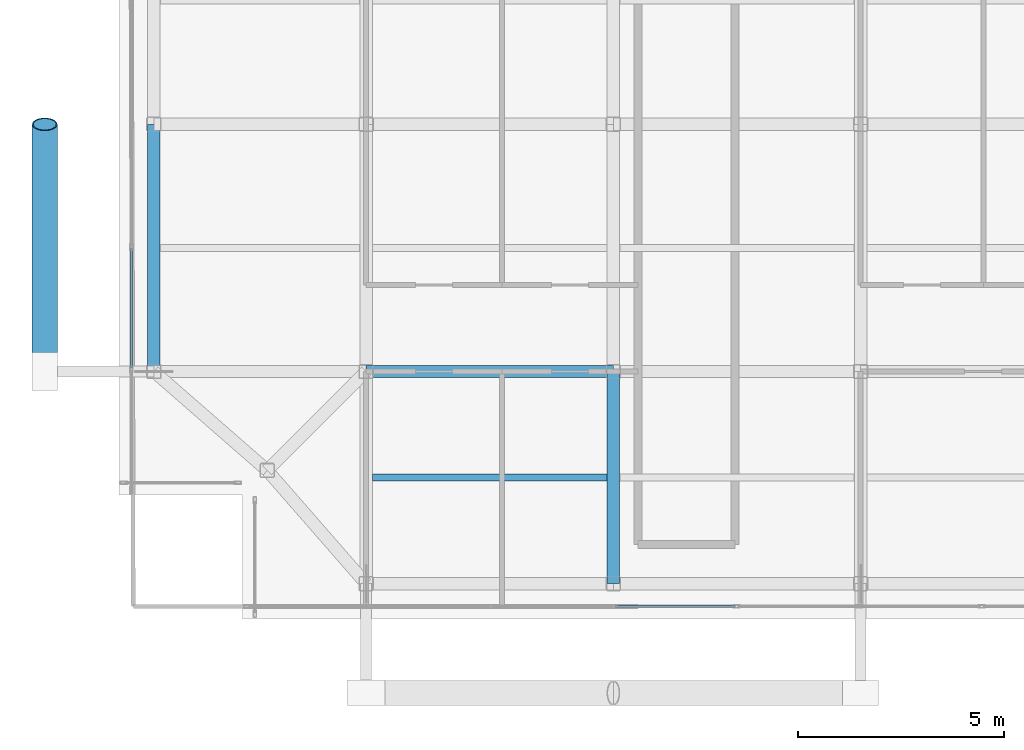
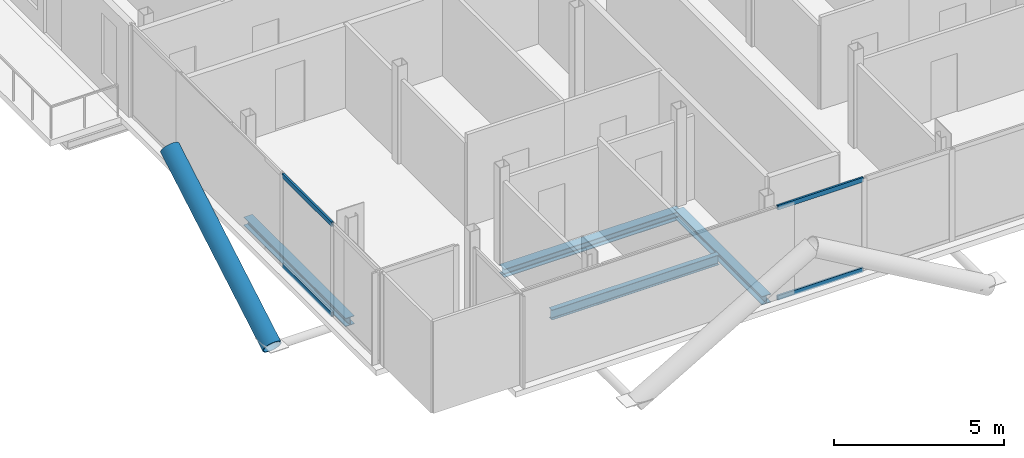
# One storey, part 3 of 19: 5 members, 4 beams, 2 elements without a shape of their own.
"""IFC4 building model written with IfcOpenShell, lengths in metres."""

from ifc_helpers import new_model, si_unit, direction, frame, origin, origin_2d, place, context, subcontext, project, spatial, hollow_rectangle, hollow_circle, i_section, extrude, material, layer, layer_set, material_profile, profile_set, type_object, element, aggregate, save


model = new_model("IFC4")

# Units and contexts
model_context = context("Model", 3, precision=1e-05, world=origin(), true_north=direction((0.0, 1.0)))
body_context = subcontext(model_context, "Body", "Model", "MODEL_VIEW")
ifc_project = project(units=[si_unit("LENGTHUNIT", "METRE"), si_unit("AREAUNIT", "SQUARE_METRE"), si_unit("VOLUMEUNIT", "CUBIC_METRE"), si_unit("PLANEANGLEUNIT", "RADIAN"), si_unit("MASSUNIT", "GRAM", prefix="KILO"), si_unit("THERMODYNAMICTEMPERATUREUNIT", "KELVIN"), si_unit("POWERUNIT", "WATT")], contexts=[model_context])

# Site, building, storey
site_placement = place(None, origin())
site = spatial("IfcSite", under=ifc_project, at=site_placement, CompositionType="ELEMENT")
building_placement = place(site_placement, origin())
building = spatial("IfcBuilding", under=site, at=building_placement, Name="Svarakhadi Broadcast Tower", CompositionType="ELEMENT")
storey_placement = place(building_placement, frame((0.0, 0.0, 257.199951171875)))
storey = spatial("IfcBuildingStorey", under=building, at=storey_placement, Name="L64", CompositionType="ELEMENT", Elevation=257.199951171875)

# Beam
ifc_material_1 = material(Name="Steel S355J2 (IS 2062 E350C)", Category="steel")
ifc_material_profile_1 = material_profile(ifc_material_1, i_section(OverallWidth=0.169921875, OverallDepth=0.360107421875, WebThickness=0.008056640625, FlangeThickness=0.0126953125, FilletRadius=0.01806640625, at=origin_2d()), Name="NPB 360x170x57")
ifc_profile_set_1 = profile_set([ifc_material_profile_1], Name="Steel S355J2 (IS 2062 E350C)")
beam_type_1 = type_object("IfcBeamType", Name="Beam_NPB360", PredefinedType="BEAM", material=ifc_profile_set_1)
beam_1_placement = place(storey_placement, frame((6.159912109375, 3.425048828125, -0.3798828125), z_axis=(1.0, 0.0, 0.0), x_axis=(0.0, 1.0, 0.0)))
element("IfcBeam", 1, at=beam_1_placement, inside=storey, type_object=beam_type_1, Name="L64 Secondary Composite Beam SB004", PredefinedType="BEAM", context=body_context, shape_type="SweptSolid", body=[
    extrude(i_section(OverallWidth=0.169921875, OverallDepth=0.360107421875, WebThickness=0.008056640625, FlangeThickness=0.0126953125, FilletRadius=0.01806640625, at=origin_2d()), origin(), (0.0, 0.0, 1.0), 5.68017578125),
])

# Curtain wall, members
ifc_material_2 = material(Name="Anodised Bronze Aluminium AA 6063-T6", Category="aluminium")
ifc_layer = layer(ifc_material_2, 0.179931640625)
ifc_layer_set = layer_set([ifc_layer], Name="Anodised Bronze Aluminium AA 6063-T6")
curtain_wall_type = type_object("IfcCurtainWallType", Name="CW_Sys_05", PredefinedType="NOTDEFINED", material=ifc_layer_set)
curtain_wall_1_placement = place(storey_placement, origin())
curtain_wall_1 = element("IfcCurtainWall", 2, at=curtain_wall_1_placement, inside=storey, type_object=curtain_wall_type, Name="L64 West Curtain Wall 02", PredefinedType="NOTDEFINED")
ifc_material_profile_2 = material_profile(ifc_material_2, hollow_rectangle(XDim=0.06494140625, YDim=0.1650390625, WallThickness=0.0048828125, at=origin_2d()), Name="ALU TRANSOM 165x65x5")
ifc_profile_set_2 = profile_set([ifc_material_profile_2], Name="Anodised Bronze Aluminium AA 6063-T6")
member_type_1 = type_object("IfcMemberType", Name="CW_Sys_05_Trn", PredefinedType="USERDEFINED", material=ifc_profile_set_2)
member_1_placement = place(storey_placement, frame((0.300048828125, 6.089111328125, 0.032470703125), z_axis=(0.0, 1.0, 0.0), x_axis=(-1.0, 0.0, 0.0)))
member_1 = element("IfcMember", 3, at=member_1_placement, type_object=member_type_1, Name="CW-05 transom 2.1", ObjectType="TRANSOM", PredefinedType="USERDEFINED", context=body_context, shape_type="SweptSolid", body=[
    extrude(hollow_rectangle(XDim=0.06494140625, YDim=0.1650390625, WallThickness=0.0048828125, at=origin_2d()), origin(), (0.0, 0.0, 1.0), 2.893798828125),
])
member_2_placement = place(storey_placement, frame((0.300048828125, 6.089111328125, 3.267578125), z_axis=(0.0, 1.0, 0.0), x_axis=(-1.0, 0.0, 0.0)))
member_2 = element("IfcMember", 4, at=member_2_placement, type_object=member_type_1, Name="CW-05 transom 2.2", ObjectType="TRANSOM", PredefinedType="USERDEFINED", context=body_context, shape_type="SweptSolid", body=[
    extrude(hollow_rectangle(XDim=0.06494140625, YDim=0.1650390625, WallThickness=0.0048828125, at=origin_2d()), origin(), (0.0, 0.0, 1.0), 2.893798828125),
])
aggregate(curtain_wall_1, [member_1, member_2])

curtain_wall_2_placement = place(storey_placement, origin())
curtain_wall_2 = element("IfcCurtainWall", 5, at=curtain_wall_2_placement, inside=storey, type_object=curtain_wall_type, Name="L64 South Curtain Wall 15", PredefinedType="NOTDEFINED")
member_3_placement = place(storey_placement, frame((14.9521484375, 0.300048828125, 0.032470703125), z_axis=(-1.0, 0.0, 0.0), x_axis=(0.0, -1.0, 0.0)))
member_3 = element("IfcMember", 6, at=member_3_placement, type_object=member_type_1, Name="CW-05 transom 4.1", ObjectType="TRANSOM", PredefinedType="USERDEFINED", context=body_context, shape_type="SweptSolid", body=[
    extrude(hollow_rectangle(XDim=0.06494140625, YDim=0.1650390625, WallThickness=0.0048828125, at=origin_2d()), origin(), (0.0, 0.0, 1.0), 2.904296875),
])
member_4_placement = place(storey_placement, frame((14.9521484375, 0.300048828125, 3.267578125), z_axis=(-1.0, 0.0, 0.0), x_axis=(0.0, -1.0, 0.0)))
member_4 = element("IfcMember", 7, at=member_4_placement, type_object=member_type_1, Name="CW-05 transom 4.2", ObjectType="TRANSOM", PredefinedType="USERDEFINED", context=body_context, shape_type="SweptSolid", body=[
    extrude(hollow_rectangle(XDim=0.06494140625, YDim=0.1650390625, WallThickness=0.0048828125, at=origin_2d()), origin(), (0.0, 0.0, 1.0), 2.904296875),
])
aggregate(curtain_wall_2, [member_3, member_4])

# Member
ifc_material_3 = material(Name="Steel S460ML (IS 2062 E450BR)", Category="steel")
ifc_material_profile_3 = material_profile(ifc_material_3, hollow_circle(Radius=0.304931640625, WallThickness=0.030029296875, at=origin_2d()), Name="CHS 610x30")
ifc_profile_set_3 = profile_set([ifc_material_profile_3], Name="Steel S460ML (IS 2062 E450BR)")
member_type_2 = type_object("IfcMemberType", Name="Exo_Brace_CHS610", PredefinedType="BRACE", material=ifc_profile_set_3)
member_5_placement = place(storey_placement, frame((-1.800048828125, 6.0, -0.33642578125), z_axis=(0.0, 0.863778900898, 0.503871025524), x_axis=(-1.0, 0.0, 0.0)))
element("IfcMember", 8, at=member_5_placement, inside=storey, type_object=member_type_2, Name="L64 Exposed Bronze Exoskeleton Diagonal W03", PredefinedType="BRACE", context=body_context, shape_type="SweptSolid", body=[
    extrude(hollow_circle(Radius=0.304931640625, WallThickness=0.030029296875, at=origin_2d()), origin(), (0.0, 0.0, 1.0), 6.9462890625),
])

# Beams
ifc_material_profile_4 = material_profile(ifc_material_1, i_section(OverallWidth=0.300048828125, OverallDepth=0.300048828125, WebThickness=0.010986328125, FlangeThickness=0.01904296875, FilletRadius=0.027099609375, at=origin_2d()), Name="WPB 300x300x117")
ifc_profile_set_4 = profile_set([ifc_material_profile_4], Name="Steel S355J2 (IS 2062 E350C)")
beam_type_2 = type_object("IfcBeamType", Name="Girder_WPB300", PredefinedType="USERDEFINED", material=ifc_profile_set_4)
for number, where, z_axis, x_axis, name in (
    (9, (6.0, 6.0, -0.349853515625), (1.0, 0.0, 0.0), (0.0, 1.0, 0.0), "L64 Primary E-W Girder G009"),
    (10, (0.85009765625, 6.0, -0.349853515625), (0.0, 1.0, 0.0), (-1.0, 0.0, 0.0), "L64 Primary N-S Girder G026"),
):
    element("IfcBeam", number, at=place(storey_placement, frame(where, z_axis=z_axis, x_axis=x_axis)), inside=storey, type_object=beam_type_2, Name=name, ObjectType="GIRDER", PredefinedType="USERDEFINED", context=body_context, shape_type="SweptSolid", body=[
        extrude(i_section(OverallWidth=0.300048828125, OverallDepth=0.300048828125, WebThickness=0.010986328125, FlangeThickness=0.01904296875, FilletRadius=0.027099609375, at=origin_2d()), origin(), (0.0, 0.0, 1.0), 6.0),
    ])
beam_2_placement = place(storey_placement, frame((12.0, 0.85009765625, -0.349853515625), z_axis=(0.0, 1.0, 0.0), x_axis=(-1.0, 0.0, 0.0)))
element("IfcBeam", 11, at=beam_2_placement, inside=storey, type_object=beam_type_2, Name="L64 Primary N-S Girder G033", ObjectType="GIRDER", PredefinedType="USERDEFINED", context=body_context, shape_type="SweptSolid", body=[
    extrude(i_section(OverallWidth=0.300048828125, OverallDepth=0.300048828125, WebThickness=0.010986328125, FlangeThickness=0.01904296875, FilletRadius=0.027099609375, at=origin_2d()), origin(), (0.0, 0.0, 1.0), 5.14990234375),
])

save(model, "model.ifc")
